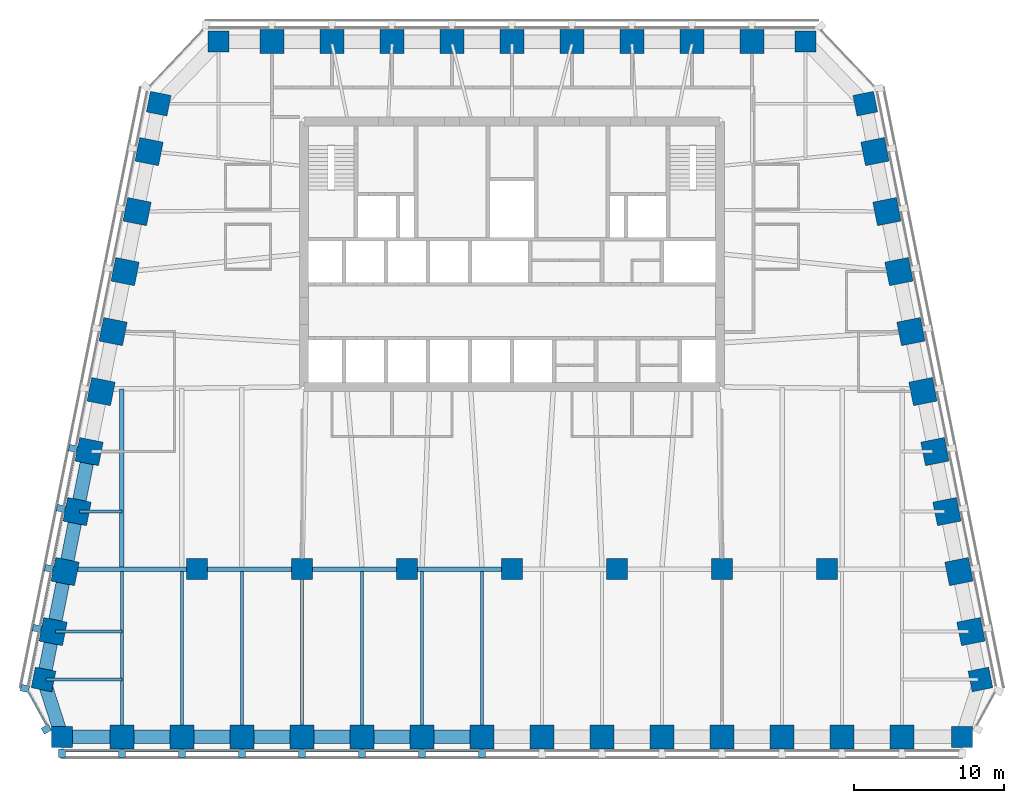
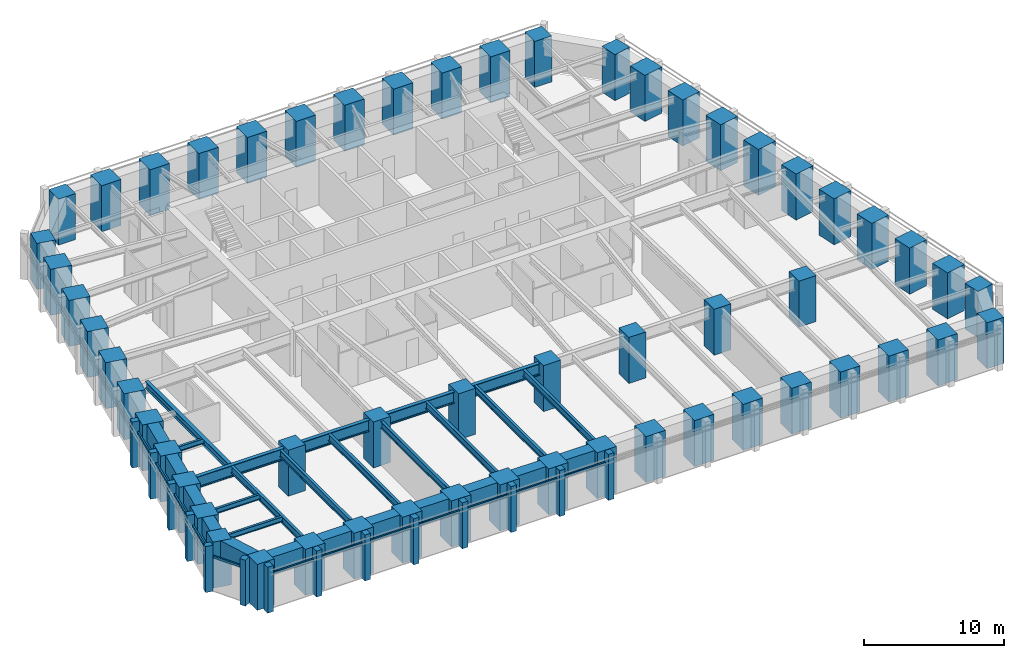
# One storey, part 1 of 10: 56 columns, 27 beams, 26 members, 3 elements without a shape of their own.
"""IFC4 building model written with IfcOpenShell, lengths in metres."""

import ifcopenshell
import ifcopenshell.guid

model = None  # the IFC model being written
_history = None  # IfcOwnerHistory: only IFC2X3 demands one
_inside = {}  # id of a spatial element -> (the spatial element, [elements in it])
_under = {}  # id of a project, library or spatial element -> (it, [spatial elements below it])
_declared = {}  # id of a project -> (the project, [libraries it declares])
_typed = {}  # id of a type object -> (the type object, [elements of that type])
_made_of = {}  # id of a material, layer set ... -> (it, [elements and type objects made of it])


def new_model(schema):
    """Start an empty IFC model of exactly this schema.

    Asked for "IFC4X3", IfcOpenShell would pick the latest addendum, in which some entities
    have other attributes; the version numbers below select the first issue.
    IFC2X3 requires an IfcOwnerHistory on every rooted entity: one is made here for all.
    """
    global model, _history
    if schema == "IFC4X3":
        model = ifcopenshell.file(schema_version=(4, 3, 0, 0))
    else:
        model = ifcopenshell.file(schema=schema)
    _inside.clear()
    _under.clear()
    _declared.clear()
    _typed.clear()
    _made_of.clear()
    _history = None
    if model.schema == "IFC2X3":
        org = make("IfcOrganization", Name="unknown")
        user = make(
            "IfcPersonAndOrganization",
            ThePerson=make("IfcPerson", FamilyName="unknown"),
            TheOrganization=org,
        )
        app = make(
            "IfcApplication",
            ApplicationDeveloper=org,
            Version="unknown",
            ApplicationFullName="unknown",
            ApplicationIdentifier="unknown",
        )
        _history = make(
            "IfcOwnerHistory",
            OwningUser=user,
            OwningApplication=app,
            ChangeAction="ADDED",
            CreationDate=0,
        )
    return model


def make(cls, **values):
    """One entity of the class cls with the attributes given. An attribute that is None is left unset."""
    return model.create_entity(
        cls, **{name: value for name, value in values.items() if value is not None}
    )


def rooted(cls, **values):
    """An entity with a GlobalId (a new one), such as an element, a storey or a relation."""
    return make(cls, GlobalId=ifcopenshell.guid.new(), OwnerHistory=_history, **values)


def si_unit(unit_type, name, prefix=None):
    """IfcSIUnit, for example si_unit("LENGTHUNIT", "METRE", prefix="MILLI")."""
    return make("IfcSIUnit", UnitType=unit_type, Prefix=prefix, Name=name)


def assignment(units):
    """IfcUnitAssignment: the units of a project."""
    return None if units is None else make("IfcUnitAssignment", Units=units)


def point(xyz):
    """IfcCartesianPoint."""
    return None if xyz is None else make("IfcCartesianPoint", Coordinates=xyz)


def direction(xyz):
    """IfcDirection."""
    return None if xyz is None else make("IfcDirection", DirectionRatios=xyz)


def frame(location, z_axis=None, x_axis=None):
    """IfcAxis2Placement3D, a coordinate frame: its origin and axes. An axis left out is left unset."""
    return make(
        "IfcAxis2Placement3D",
        Location=point(location),
        Axis=direction(z_axis),
        RefDirection=direction(x_axis),
    )


def frame_2d(location, x_axis=None):
    """IfcAxis2Placement2D, a coordinate frame in the plane: its origin and x axis."""
    return make(
        "IfcAxis2Placement2D", Location=point(location), RefDirection=direction(x_axis)
    )


def origin():
    """The frame at (0, 0, 0) with its axes left unset."""
    return frame((0.0, 0.0, 0.0))


def origin_2d():
    """The frame at (0, 0) in the plane with its x axis left unset."""
    return frame_2d((0.0, 0.0))


def place(relative_to, where):
    """IfcLocalPlacement: puts the frame where relative to a parent placement (None: the world)."""
    return make(
        "IfcLocalPlacement", PlacementRelTo=relative_to, RelativePlacement=where
    )


def context(
    kind, dimensions, precision=None, world=None, true_north=None, identifier=None
):
    """IfcGeometricRepresentationContext, for example the 3D "Model" context."""
    return make(
        "IfcGeometricRepresentationContext",
        ContextIdentifier=identifier,
        ContextType=kind,
        CoordinateSpaceDimension=dimensions,
        Precision=precision,
        WorldCoordinateSystem=world,
        TrueNorth=true_north,
    )


def subcontext(parent, identifier, kind, view, scale=None):
    """IfcGeometricRepresentationSubContext, for example "Body" below "Model"."""
    return make(
        "IfcGeometricRepresentationSubContext",
        ContextIdentifier=identifier,
        ContextType=kind,
        ParentContext=parent,
        TargetScale=scale,
        TargetView=view,
    )


def project(units=None, contexts=None):
    """IfcProject with its units and contexts."""
    return rooted(
        "IfcProject",
        Name="project",
        RepresentationContexts=contexts,
        UnitsInContext=assignment(units),
    )


def spatial(cls, under=None, at=None, **own):
    """A site, building, storey or space (cls), placed at a placement, below another one or the project."""
    s = rooted(cls, ObjectPlacement=at, **own)
    if under is not None:
        _under.setdefault(under.id(), (under, []))[1].append(s)
    return s


def profile(cls, at=None, kind="AREA", **sizes):
    """A parametric profile (cls). Its sizes go by their IFC names, for example OverallWidth=200.0."""
    return make(cls, ProfileType=kind, Position=at, **sizes)


def rectangle(**sizes):
    """IfcRectangleProfileDef."""
    return profile("IfcRectangleProfileDef", **sizes)


def i_section(**sizes):
    """IfcIShapeProfileDef."""
    return profile("IfcIShapeProfileDef", **sizes)


def extrude(swept, where, along, depth):
    """IfcExtrudedAreaSolid: the profile swept, set in the frame where, extruded along a direction by depth."""
    return make(
        "IfcExtrudedAreaSolid",
        SweptArea=swept,
        Position=where,
        ExtrudedDirection=direction(along),
        Depth=depth,
    )


def shape(context_of_items, identifier, shape_type, items):
    """IfcShapeRepresentation: the items that make up one representation, for example the "Body"."""
    return make(
        "IfcShapeRepresentation",
        ContextOfItems=context_of_items,
        RepresentationIdentifier=identifier,
        RepresentationType=shape_type,
        Items=items,
    )


def material(Name=None, Category=None):
    """IfcMaterial."""
    return make("IfcMaterial", Name=Name, Category=Category)


def material_profile(
    of_material, cross_section, Name=None, Category=None, Priority=None
):
    """IfcMaterialProfile: a cross section and its material."""
    return make(
        "IfcMaterialProfile",
        Name=Name,
        Material=of_material,
        Profile=cross_section,
        Priority=Priority,
        Category=Category,
    )


def profile_set(profiles, Name=None, composite=None):
    """IfcMaterialProfileSet."""
    return make(
        "IfcMaterialProfileSet",
        Name=Name,
        MaterialProfiles=profiles,
        CompositeProfile=composite,
    )


def made_of(thing, what):
    """Note that an element or type object is made of a material, layer set ...; save() writes the relation."""
    if what is not None:
        _made_of.setdefault(what.id(), (what, []))[1].append(thing)
    return thing


def type_object(cls, material=None, **own):
    """A type object (cls), such as IfcWallType, which elements share."""
    return made_of(rooted(cls, **own), material)


def element(
    cls,
    number,
    at=None,
    inside=None,
    cuts=None,
    type_object=None,
    material=None,
    context=None,
    identifier="Body",
    shape_type=None,
    held_by="IfcProductDefinitionShape",
    body=None,
    shapes=None,
    **own,
):
    """One element of the class cls, such as IfcWall. Its Tag is "e" and its number.

    at: its placement. inside: the storey or other place that contains it. cuts: it is an
    opening in that element (IfcRelVoidsElement). A single representation is given by context,
    identifier, shape_type and body (its items); several are given by shapes. held_by: the class
    of the entity that holds the representations. save() writes the other relations.
    """
    e = rooted(cls, Tag="e%d" % number, ObjectPlacement=at, **own)
    if body is not None:
        shapes = [shape(context, identifier, shape_type, body)]
    if shapes is not None:
        e.Representation = make(held_by, Representations=shapes)
    if inside is not None:
        _inside.setdefault(inside.id(), (inside, []))[1].append(e)
    if cuts is not None:
        rooted(
            "IfcRelVoidsElement", RelatingBuildingElement=cuts, RelatedOpeningElement=e
        )
    if type_object is not None:
        _typed.setdefault(type_object.id(), (type_object, []))[1].append(e)
    return made_of(e, material)


def aggregate(whole, parts):
    """IfcRelAggregates: a whole, such as a stair, and the parts it consists of."""
    return rooted("IfcRelAggregates", RelatingObject=whole, RelatedObjects=parts)


def save(model, path):
    """Write the relations noted so far, then the file.

    IfcRelAggregates (storeys below a building ...), IfcRelContainedInSpatialStructure (elements
    in a storey), IfcRelDefinesByType, IfcRelAssociatesMaterial and IfcRelDeclares: one each for
    every whole, place, type object, material and project.
    """
    for whole, parts in _under.values():
        aggregate(whole, parts)
    for where, things in _inside.values():
        rooted(
            "IfcRelContainedInSpatialStructure",
            RelatedElements=things,
            RelatingStructure=where,
        )
    for kind, things in _typed.values():
        rooted("IfcRelDefinesByType", RelatedObjects=things, RelatingType=kind)
    for what, things in _made_of.values():
        rooted("IfcRelAssociatesMaterial", RelatedObjects=things, RelatingMaterial=what)
    for by, libraries in _declared.values():
        rooted("IfcRelDeclares", RelatingContext=by, RelatedDefinitions=libraries)
    model.write(path)


model = new_model("IFC4")

# Units and contexts
model_context = context("Model", 3, precision=1e-05, world=origin(), true_north=direction((0.0, 1.0)))
body_context = subcontext(model_context, "Body", "Model", "MODEL_VIEW")
ifc_project = project(units=[si_unit("LENGTHUNIT", "METRE"), si_unit("AREAUNIT", "SQUARE_METRE"), si_unit("VOLUMEUNIT", "CUBIC_METRE"), si_unit("PLANEANGLEUNIT", "RADIAN"), si_unit("MASSUNIT", "GRAM", prefix="KILO")], contexts=[model_context])

# Site, building, storey
site_placement = place(None, origin())
site = spatial("IfcSite", under=ifc_project, at=site_placement, CompositionType="ELEMENT")
building_placement = place(site_placement, origin())
building = spatial("IfcBuilding", under=site, at=building_placement, Name="Isbrekke Arena Tower", CompositionType="ELEMENT")
storey_placement = place(building_placement, frame((0.0, 0.0, 222.0)))
storey = spatial("IfcBuildingStorey", under=building, at=storey_placement, Name="L51", CompositionType="ELEMENT", Elevation=222.0)

# Columns
ifc_material_1 = material(Name="Concrete B65 (C65/80)", Category="concrete")
ifc_material_profile_1 = material_profile(ifc_material_1, rectangle(XDim=1.39990234375, YDim=1.39990234375, at=origin_2d()), Name="RC 1400x1400")
ifc_profile_set_1 = profile_set([ifc_material_profile_1], Name="Concrete B65 (C65/80)")
column_type_1 = type_object("IfcColumnType", Name="C13 RC 1400 x 1400", PredefinedType="COLUMN", material=ifc_profile_set_1)
for number, where, z_axis, x_axis, name in (
    (1, (-21.0, -6.0, 0.0), (0.0, 0.0, 1.0), (1.0, 0.0, 0.0), "C13 I01"),
    (2, (-14.0, -6.0, 0.0), (0.0, 0.0, 1.0), (1.0, 0.0, 0.0), "C13 I02"),
    (3, (-7.0, -6.0, 0.0), (0.0, 0.0, 1.0), (1.0, 0.0, 0.0), "C13 I03"),
    (4, (0.0, -6.0, 0.0), (0.0, 0.0, 1.0), (1.0, 0.0, 0.0), "C13 I04"),
    (5, (7.0, -6.0, 0.0), (0.0, 0.0, 1.0), (1.0, 0.0, 0.0), "C13 I05"),
    (6, (14.0, -6.0, 0.0), (0.0, 0.0, 1.0), (1.0, 0.0, 0.0), "C13 I06"),
    (7, (21.0, -6.0, 0.0), (0.0, 0.0, 1.0), (1.0, 0.0, 0.0), "C13 I07"),
):
    element("IfcColumn", number, at=place(storey_placement, frame(where, z_axis=z_axis, x_axis=x_axis)), inside=storey, type_object=column_type_1, Name=name, PredefinedType="COLUMN", context=body_context, shape_type="SweptSolid", body=[
        extrude(rectangle(XDim=1.39990234375, YDim=1.39990234375, at=origin_2d()), origin(), (0.0, 0.0, 1.0), 4.0),
    ])
ifc_material_2 = material(Name="Concrete B65 (C65/80)", Category="concrete")
ifc_material_profile_2 = material_profile(ifc_material_2, rectangle(XDim=1.60009765625, YDim=1.60009765625, at=origin_2d()), Name="RC 1600x1600")
ifc_profile_set_2 = profile_set([ifc_material_profile_2], Name="Concrete B65 (C65/80)")
column_type_2 = type_object("IfcColumnType", Name="C4 RC 1600 x 1600", PredefinedType="COLUMN", material=ifc_profile_set_2)
for number, where, z_axis, x_axis, name in (
    (8, (-26.0, -17.175048828125, 0.0), (0.0, 0.0, 1.0), (1.0, 0.0, 0.0), "C4 S02"),
    (9, (-22.0, -17.175048828125, 0.0), (0.0, 0.0, 1.0), (1.0, 0.0, 0.0), "C4 S03"),
    (10, (-18.0, -17.175048828125, 0.0), (0.0, 0.0, 1.0), (1.0, 0.0, 0.0), "C4 S04"),
    (11, (-14.0, -17.175048828125, 0.0), (0.0, 0.0, 1.0), (1.0, 0.0, 0.0), "C4 S05"),
    (12, (-10.0, -17.175048828125, 0.0), (0.0, 0.0, 1.0), (1.0, 0.0, 0.0), "C4 S06"),
    (13, (-6.0, -17.175048828125, 0.0), (0.0, 0.0, 1.0), (1.0, 0.0, 0.0), "C4 S07"),
    (14, (-2.0, -17.175048828125, 0.0), (0.0, 0.0, 1.0), (1.0, 0.0, 0.0), "C4 S08"),
    (15, (2.0, -17.175048828125, 0.0), (0.0, 0.0, 1.0), (1.0, 0.0, 0.0), "C4 S09"),
    (16, (6.0, -17.175048828125, 0.0), (0.0, 0.0, 1.0), (1.0, 0.0, 0.0), "C4 S10"),
    (17, (10.0, -17.175048828125, 0.0), (0.0, 0.0, 1.0), (1.0, 0.0, 0.0), "C4 S11"),
    (18, (14.0, -17.175048828125, 0.0), (0.0, 0.0, 1.0), (1.0, 0.0, 0.0), "C4 S12"),
    (19, (18.0, -17.175048828125, 0.0), (0.0, 0.0, 1.0), (1.0, 0.0, 0.0), "C4 S13"),
    (20, (22.0, -17.175048828125, 0.0), (0.0, 0.0, 1.0), (1.0, 0.0, 0.0), "C4 S14"),
    (21, (26.0, -17.175048828125, 0.0), (0.0, 0.0, 1.0), (1.0, 0.0, 0.0), "C4 S15"),
    (22, (30.591064453125, -10.161865234375, 0.0), (0.0, 0.0, 1.0), (-0.196116135138, 0.980580675691, 0.0), "C4 E02"),
    (23, (29.791015625, -6.161865234375, 0.0), (0.0, 0.0, 1.0), (-0.196116135138, 0.980580675691, 0.0), "C4 E03"),
    (24, (28.990966796875, -2.161865234375, 0.0), (0.0, 0.0, 1.0), (-0.196116135138, 0.980580675691, 0.0), "C4 E04"),
    (25, (28.19091796875, 1.838134765625, 0.0), (0.0, 0.0, 1.0), (-0.196116135138, 0.980580675691, 0.0), "C4 E05"),
    (26, (27.39111328125, 5.838134765625, 0.0), (0.0, 0.0, 1.0), (-0.196116135138, 0.980580675691, 0.0), "C4 E06"),
    (27, (26.591064453125, 9.838134765625, 0.0), (0.0, 0.0, 1.0), (-0.196116135138, 0.980580675691, 0.0), "C4 E07"),
    (28, (25.791015625, 13.838134765625, 0.0), (0.0, 0.0, 1.0), (-0.196116135138, 0.980580675691, 0.0), "C4 E08"),
    (29, (24.990966796875, 17.838134765625, 0.0), (0.0, 0.0, 1.0), (-0.196116135138, 0.980580675691, 0.0), "C4 E09"),
    (30, (24.19091796875, 21.838134765625, 0.0), (0.0, 0.0, 1.0), (-0.196116135138, 0.980580675691, 0.0), "C4 E10"),
    (31, (16.0, 29.175048828125, 0.0), (0.0, 0.0, 1.0), (-1.0, 0.0, 0.0), "C4 N02"),
    (32, (12.0, 29.175048828125, 0.0), (0.0, 0.0, 1.0), (-1.0, 0.0, 0.0), "C4 N03"),
    (33, (8.0, 29.175048828125, 0.0), (0.0, 0.0, 1.0), (-1.0, 0.0, 0.0), "C4 N04"),
    (34, (4.0, 29.175048828125, 0.0), (0.0, 0.0, 1.0), (-1.0, 0.0, 0.0), "C4 N05"),
    (35, (0.0, 29.175048828125, 0.0), (0.0, 0.0, 1.0), (-1.0, 0.0, 0.0), "C4 N06"),
    (36, (-4.0, 29.175048828125, 0.0), (0.0, 0.0, 1.0), (-1.0, 0.0, 0.0), "C4 N07"),
    (37, (-8.0, 29.175048828125, 0.0), (0.0, 0.0, 1.0), (-1.0, 0.0, 0.0), "C4 N08"),
    (38, (-12.0, 29.175048828125, 0.0), (0.0, 0.0, 1.0), (-1.0, 0.0, 0.0), "C4 N09"),
    (39, (-16.0, 29.175048828125, 0.0), (0.0, 0.0, 1.0), (-1.0, 0.0, 0.0), "C4 N10"),
    (40, (-24.19091796875, 21.838134765625, 0.0), (0.0, 0.0, 1.0), (-0.196116135138, -0.980580675691, 0.0), "C4 W02"),
    (41, (-24.990966796875, 17.838134765625, 0.0), (0.0, 0.0, 1.0), (-0.196116135138, -0.980580675691, 0.0), "C4 W03"),
    (42, (-25.791015625, 13.838134765625, 0.0), (0.0, 0.0, 1.0), (-0.196116135138, -0.980580675691, 0.0), "C4 W04"),
    (43, (-26.591064453125, 9.838134765625, 0.0), (0.0, 0.0, 1.0), (-0.196116135138, -0.980580675691, 0.0), "C4 W05"),
    (44, (-27.39111328125, 5.838134765625, 0.0), (0.0, 0.0, 1.0), (-0.196116135138, -0.980580675691, 0.0), "C4 W06"),
    (45, (-28.19091796875, 1.838134765625, 0.0), (0.0, 0.0, 1.0), (-0.196116135138, -0.980580675691, 0.0), "C4 W07"),
    (46, (-28.990966796875, -2.161865234375, 0.0), (0.0, 0.0, 1.0), (-0.196116135138, -0.980580675691, 0.0), "C4 W08"),
    (47, (-29.791015625, -6.161865234375, 0.0), (0.0, 0.0, 1.0), (-0.196116135138, -0.980580675691, 0.0), "C4 W09"),
    (48, (-30.591064453125, -10.161865234375, 0.0), (0.0, 0.0, 1.0), (-0.196116135138, -0.980580675691, 0.0), "C4 W10"),
):
    element("IfcColumn", number, at=place(storey_placement, frame(where, z_axis=z_axis, x_axis=x_axis)), inside=storey, type_object=column_type_2, Name=name, PredefinedType="COLUMN", context=body_context, shape_type="SweptSolid", body=[
        extrude(rectangle(XDim=1.60009765625, YDim=1.60009765625, at=origin_2d()), origin(), (0.0, 0.0, 1.0), 4.0),
    ])
ifc_material_3 = material(Name="Concrete B65 (C65/80)", Category="concrete")
ifc_material_profile_3 = material_profile(ifc_material_3, rectangle(XDim=1.39990234375, YDim=1.39990234375, at=origin_2d()), Name="RC 1400x1400")
ifc_profile_set_3 = profile_set([ifc_material_profile_3], Name="Concrete B65 (C65/80)")
column_type_3 = type_object("IfcColumnType", Name="C8 RC 1400 x 1400", PredefinedType="COLUMN", material=ifc_profile_set_3)
for number, where, z_axis, x_axis, name in (
    (49, (-30.0, -17.175048828125, 0.0), (0.0, 0.0, 1.0), (1.0, 0.0, 0.0), "C8 S01"),
    (50, (30.0, -17.175048828125, 0.0), (0.0, 0.0, 1.0), (1.0, 0.0, 0.0), "C8 S16"),
    (51, (31.229248046875, -13.352783203125, 0.0), (0.0, 0.0, 1.0), (-0.196116135138, 0.980580675691, 0.0), "C8 E01"),
    (52, (23.552734375, 25.029296875, 0.0), (0.0, 0.0, 1.0), (-0.196116135138, 0.980580675691, 0.0), "C8 E11"),
    (53, (19.574951171875, 29.175048828125, 0.0), (0.0, 0.0, 1.0), (-1.0, 0.0, 0.0), "C8 N01"),
    (54, (-19.574951171875, 29.175048828125, 0.0), (0.0, 0.0, 1.0), (-1.0, 0.0, 0.0), "C8 N11"),
    (55, (-23.552734375, 25.029296875, 0.0), (0.0, 0.0, 1.0), (-0.196116135138, -0.980580675691, 0.0), "C8 W01"),
    (56, (-31.229248046875, -13.352783203125, 0.0), (0.0, 0.0, 1.0), (-0.196116135138, -0.980580675691, 0.0), "C8 W11"),
):
    element("IfcColumn", number, at=place(storey_placement, frame(where, z_axis=z_axis, x_axis=x_axis)), inside=storey, type_object=column_type_3, Name=name, PredefinedType="COLUMN", context=body_context, shape_type="SweptSolid", body=[
        extrude(rectangle(XDim=1.39990234375, YDim=1.39990234375, at=origin_2d()), origin(), (0.0, 0.0, 1.0), 4.0),
    ])

# Beams
ifc_material_4 = material(Name="Steel S355", Category="steel")
ifc_material_profile_4 = material_profile(ifc_material_4, i_section(OverallWidth=0.219970703125, OverallDepth=0.60009765625, WebThickness=0.011962890625, FlangeThickness=0.01904296875, FilletRadius=0.02392578125, at=origin_2d()), Name="IPE 600")
ifc_profile_set_4 = profile_set([ifc_material_profile_4], Name="Steel S355")
beam_type_1 = type_object("IfcBeamType", Name="B1 IPE 600", PredefinedType="BEAM", material=ifc_profile_set_4)
for number, where, z_axis, x_axis, name in (
    (57, (-26.0, -17.02490234375, 3.550048828125), (0.0, 1.0, 0.0), (-1.0, 0.0, 0.0), "B1 beam S-S02 L51"),
    (58, (-22.0, -17.02490234375, 3.550048828125), (0.0, 1.0, 0.0), (-1.0, 0.0, 0.0), "B1 beam S-S03 L51"),
    (59, (-18.0, -17.02490234375, 3.550048828125), (0.0, 1.0, 0.0), (-1.0, 0.0, 0.0), "B1 beam S-S04 L51"),
):
    element("IfcBeam", number, at=place(storey_placement, frame(where, z_axis=z_axis, x_axis=x_axis)), inside=storey, type_object=beam_type_1, Name=name, PredefinedType="BEAM", context=body_context, shape_type="SweptSolid", body=[
        extrude(i_section(OverallWidth=0.219970703125, OverallDepth=0.60009765625, WebThickness=0.011962890625, FlangeThickness=0.01904296875, FilletRadius=0.02392578125, at=origin_2d()), origin(), (0.0, 0.0, 1.0), 10.8740234375),
    ])
beam_1_placement = place(storey_placement, frame((-14.0, -17.02490234375, 3.550048828125), z_axis=(0.0, 1.0, 0.0), x_axis=(-1.0, 0.0, 0.0)))
element("IfcBeam", 60, at=beam_1_placement, inside=storey, type_object=beam_type_1, Name="B1 beam S-S05 L51", PredefinedType="BEAM", context=body_context, shape_type="SweptSolid", body=[
    extrude(i_section(OverallWidth=0.219970703125, OverallDepth=0.60009765625, WebThickness=0.011962890625, FlangeThickness=0.01904296875, FilletRadius=0.02392578125, at=origin_2d()), origin(), (0.0, 0.0, 1.0), 10.875),
])
for number, where, z_axis, x_axis, name in (
    (61, (-10.0, -17.02490234375, 3.550048828125), (0.0, 1.0, 0.0), (-1.0, 0.0, 0.0), "B1 beam S-S06 L51"),
    (62, (-6.0, -17.02490234375, 3.550048828125), (0.0, 1.0, 0.0), (-1.0, 0.0, 0.0), "B1 beam S-S07 L51"),
    (63, (-2.0, -17.02490234375, 3.550048828125), (0.0, 1.0, 0.0), (-1.0, 0.0, 0.0), "B1 beam S-S08 L51"),
):
    element("IfcBeam", number, at=place(storey_placement, frame(where, z_axis=z_axis, x_axis=x_axis)), inside=storey, type_object=beam_type_1, Name=name, PredefinedType="BEAM", context=body_context, shape_type="SweptSolid", body=[
        extrude(i_section(OverallWidth=0.219970703125, OverallDepth=0.60009765625, WebThickness=0.011962890625, FlangeThickness=0.01904296875, FilletRadius=0.02392578125, at=origin_2d()), origin(), (0.0, 0.0, 1.0), 10.8740234375),
    ])
ifc_material_5 = material(Name="Steel S355", Category="steel")
ifc_material_profile_5 = material_profile(ifc_material_5, i_section(OverallWidth=0.18994140625, OverallDepth=0.449951171875, WebThickness=0.009521484375, FlangeThickness=0.0146484375, FilletRadius=0.02099609375, at=origin_2d()), Name="IPE 450")
ifc_profile_set_5 = profile_set([ifc_material_profile_5], Name="Steel S355")
beam_type_2 = type_object("IfcBeamType", Name="B2 IPE 450", PredefinedType="BEAM", material=ifc_profile_set_5)
beam_2_placement = place(storey_placement, frame((-28.841064453125, -2.161865234375, 3.625), z_axis=(1.0, 0.0, 0.0), x_axis=(0.0, 1.0, 0.0)))
element("IfcBeam", 64, at=beam_2_placement, inside=storey, type_object=beam_type_2, Name="B2 beam E-W08 L51", PredefinedType="BEAM", context=body_context, shape_type="SweptSolid", body=[
    extrude(i_section(OverallWidth=0.18994140625, OverallDepth=0.449951171875, WebThickness=0.009521484375, FlangeThickness=0.0146484375, FilletRadius=0.02099609375, at=origin_2d()), origin(), (0.0, 0.0, 1.0), 2.841064453125),
])
beam_3_placement = place(storey_placement, frame((-30.44091796875, -10.161865234375, 3.625), z_axis=(1.0, 0.0, 0.0), x_axis=(0.0, 1.0, 0.0)))
element("IfcBeam", 65, at=beam_3_placement, inside=storey, type_object=beam_type_2, Name="B2 beam E-W10 L51", PredefinedType="BEAM", context=body_context, shape_type="SweptSolid", body=[
    extrude(i_section(OverallWidth=0.18994140625, OverallDepth=0.449951171875, WebThickness=0.009521484375, FlangeThickness=0.0146484375, FilletRadius=0.02099609375, at=origin_2d()), origin(), (0.0, 0.0, 1.0), 4.44091796875),
])
beam_4_placement = place(storey_placement, frame((-31.079345703125, -13.352783203125, 3.625), z_axis=(1.0, 0.0, 0.0), x_axis=(0.0, 1.0, 0.0)))
element("IfcBeam", 66, at=beam_4_placement, inside=storey, type_object=beam_type_2, Name="B2 beam E-W11 L51", PredefinedType="BEAM", context=body_context, shape_type="SweptSolid", body=[
    extrude(i_section(OverallWidth=0.18994140625, OverallDepth=0.449951171875, WebThickness=0.009521484375, FlangeThickness=0.0146484375, FilletRadius=0.02099609375, at=origin_2d()), origin(), (0.0, 0.0, 1.0), 5.079345703125),
])
ifc_material_6 = material(Name="Steel S355", Category="steel")
ifc_material_profile_6 = material_profile(ifc_material_6, i_section(OverallWidth=0.300048828125, OverallDepth=0.60009765625, WebThickness=0.015380859375, FlangeThickness=0.030029296875, FilletRadius=0.027099609375, at=origin_2d()), Name="HEB 600")
ifc_profile_set_6 = profile_set([ifc_material_profile_6], Name="Steel S355")
beam_type_3 = type_object("IfcBeamType", Name="B7 HEB 600", PredefinedType="BEAM", material=ifc_profile_set_6)
beam_5_placement = place(storey_placement, frame((-26.0, -5.84912109375, 3.550048828125), z_axis=(0.0, 1.0, 0.0), x_axis=(-1.0, 0.0, 0.0)))
element("IfcBeam", 67, at=beam_5_placement, inside=storey, type_object=beam_type_3, Name="B7 beam C-M01 L51", PredefinedType="BEAM", context=body_context, shape_type="SweptSolid", body=[
    extrude(i_section(OverallWidth=0.300048828125, OverallDepth=0.60009765625, WebThickness=0.015380859375, FlangeThickness=0.030029296875, FilletRadius=0.027099609375, at=origin_2d()), origin(), (0.0, 0.0, 1.0), 11.864990234375),
])

# Curtain wall, members
ifc_material_7 = material(Name="Glazed aluminium curtain wall", Category="aluminium")
curtain_wall_type = type_object("IfcCurtainWallType", Name="CWH TOWER CURTAIN WALL HIGH ZONE", PredefinedType="USERDEFINED", material=ifc_material_7)
curtain_wall_1_placement = place(storey_placement, origin())
curtain_wall_1 = element("IfcCurtainWall", 68, at=curtain_wall_1_placement, inside=storey, type_object=curtain_wall_type, Name="CWH curtain wall L51-S", ObjectType="TOWER CURTAIN WALL HIGH ZONE", PredefinedType="USERDEFINED")
ifc_material_8 = material(Name="Aluminium mullion, pale brick slip cladding", Category="masonry")
ifc_material_profile_7 = material_profile(ifc_material_8, rectangle(XDim=0.449951171875, YDim=0.550048828125, at=origin_2d()), Name="PIER 450X550")
ifc_profile_set_7 = profile_set([ifc_material_profile_7], Name="Aluminium mullion, pale brick slip cladding")
member_type_1 = type_object("IfcMemberType", Name="CWH-M PIER MULLION 450 x 550", PredefinedType="MULLION", material=ifc_profile_set_7)
member_1_placement = place(storey_placement, frame((-30.0, -18.27490234375, 0.0), z_axis=(0.0, 0.0, 1.0), x_axis=(1.0, 0.0, 0.0)))
member_1 = element("IfcMember", 69, at=member_1_placement, type_object=member_type_1, Name="CWH-M mullion 1", PredefinedType="MULLION", context=body_context, shape_type="SweptSolid", body=[
    extrude(rectangle(XDim=0.449951171875, YDim=0.550048828125, at=origin_2d()), origin(), (0.0, 0.0, 1.0), 4.0),
])
member_2_placement = place(storey_placement, frame((-26.0, -18.27490234375, 0.0), z_axis=(0.0, 0.0, 1.0), x_axis=(1.0, 0.0, 0.0)))
member_2 = element("IfcMember", 70, at=member_2_placement, type_object=member_type_1, Name="CWH-M mullion 2", PredefinedType="MULLION", context=body_context, shape_type="SweptSolid", body=[
    extrude(rectangle(XDim=0.449951171875, YDim=0.550048828125, at=origin_2d()), origin(), (0.0, 0.0, 1.0), 4.0),
])
member_3_placement = place(storey_placement, frame((-22.0, -18.27490234375, 0.0), z_axis=(0.0, 0.0, 1.0), x_axis=(1.0, 0.0, 0.0)))
member_3 = element("IfcMember", 71, at=member_3_placement, type_object=member_type_1, Name="CWH-M mullion 3", PredefinedType="MULLION", context=body_context, shape_type="SweptSolid", body=[
    extrude(rectangle(XDim=0.449951171875, YDim=0.550048828125, at=origin_2d()), origin(), (0.0, 0.0, 1.0), 4.0),
])
member_4_placement = place(storey_placement, frame((-18.0, -18.27490234375, 0.0), z_axis=(0.0, 0.0, 1.0), x_axis=(1.0, 0.0, 0.0)))
member_4 = element("IfcMember", 72, at=member_4_placement, type_object=member_type_1, Name="CWH-M mullion 4", PredefinedType="MULLION", context=body_context, shape_type="SweptSolid", body=[
    extrude(rectangle(XDim=0.449951171875, YDim=0.550048828125, at=origin_2d()), origin(), (0.0, 0.0, 1.0), 4.0),
])
member_5_placement = place(storey_placement, frame((-14.0, -18.27490234375, 0.0), z_axis=(0.0, 0.0, 1.0), x_axis=(1.0, 0.0, 0.0)))
member_5 = element("IfcMember", 73, at=member_5_placement, type_object=member_type_1, Name="CWH-M mullion 5", PredefinedType="MULLION", context=body_context, shape_type="SweptSolid", body=[
    extrude(rectangle(XDim=0.449951171875, YDim=0.550048828125, at=origin_2d()), origin(), (0.0, 0.0, 1.0), 4.0),
])
member_6_placement = place(storey_placement, frame((-10.0, -18.27490234375, 0.0), z_axis=(0.0, 0.0, 1.0), x_axis=(1.0, 0.0, 0.0)))
member_6 = element("IfcMember", 74, at=member_6_placement, type_object=member_type_1, Name="CWH-M mullion 6", PredefinedType="MULLION", context=body_context, shape_type="SweptSolid", body=[
    extrude(rectangle(XDim=0.449951171875, YDim=0.550048828125, at=origin_2d()), origin(), (0.0, 0.0, 1.0), 4.0),
])
member_7_placement = place(storey_placement, frame((-6.0, -18.27490234375, 0.0), z_axis=(0.0, 0.0, 1.0), x_axis=(1.0, 0.0, 0.0)))
member_7 = element("IfcMember", 75, at=member_7_placement, type_object=member_type_1, Name="CWH-M mullion 7", PredefinedType="MULLION", context=body_context, shape_type="SweptSolid", body=[
    extrude(rectangle(XDim=0.449951171875, YDim=0.550048828125, at=origin_2d()), origin(), (0.0, 0.0, 1.0), 4.0),
])
member_8_placement = place(storey_placement, frame((-2.0, -18.27490234375, 0.0), z_axis=(0.0, 0.0, 1.0), x_axis=(1.0, 0.0, 0.0)))
member_8 = element("IfcMember", 76, at=member_8_placement, type_object=member_type_1, Name="CWH-M mullion 8", PredefinedType="MULLION", context=body_context, shape_type="SweptSolid", body=[
    extrude(rectangle(XDim=0.449951171875, YDim=0.550048828125, at=origin_2d()), origin(), (0.0, 0.0, 1.0), 4.0),
])

curtain_wall_2_placement = place(storey_placement, origin())
curtain_wall_2 = element("IfcCurtainWall", 77, at=curtain_wall_2_placement, inside=storey, type_object=curtain_wall_type, Name="CWH curtain wall L51-W", ObjectType="TOWER CURTAIN WALL HIGH ZONE", PredefinedType="USERDEFINED")
member_9_placement = place(storey_placement, frame((-29.269775390625, 2.053955078125, 0.0), z_axis=(0.0, 0.0, 1.0), x_axis=(-0.196116135138, -0.980580675691, 0.0)))
member_9 = element("IfcMember", 78, at=member_9_placement, type_object=member_type_1, Name="CWH-M mullion 6", PredefinedType="MULLION", context=body_context, shape_type="SweptSolid", body=[
    extrude(rectangle(XDim=0.449951171875, YDim=0.550048828125, at=origin_2d()), origin(), (0.0, 0.0, 1.0), 4.0),
])
member_10_placement = place(storey_placement, frame((-30.069580078125, -1.946044921875, 0.0), z_axis=(0.0, 0.0, 1.0), x_axis=(-0.196116135138, -0.980580675691, 0.0)))
member_10 = element("IfcMember", 79, at=member_10_placement, type_object=member_type_1, Name="CWH-M mullion 7", PredefinedType="MULLION", context=body_context, shape_type="SweptSolid", body=[
    extrude(rectangle(XDim=0.449951171875, YDim=0.550048828125, at=origin_2d()), origin(), (0.0, 0.0, 1.0), 4.0),
])
member_11_placement = place(storey_placement, frame((-30.86962890625, -5.946044921875, 0.0), z_axis=(0.0, 0.0, 1.0), x_axis=(-0.196116135138, -0.980580675691, 0.0)))
member_11 = element("IfcMember", 80, at=member_11_placement, type_object=member_type_1, Name="CWH-M mullion 8", PredefinedType="MULLION", context=body_context, shape_type="SweptSolid", body=[
    extrude(rectangle(XDim=0.449951171875, YDim=0.550048828125, at=origin_2d()), origin(), (0.0, 0.0, 1.0), 4.0),
])
member_12_placement = place(storey_placement, frame((-31.669677734375, -9.946044921875, 0.0), z_axis=(0.0, 0.0, 1.0), x_axis=(-0.196116135138, -0.980580675691, 0.0)))
member_12 = element("IfcMember", 81, at=member_12_placement, type_object=member_type_1, Name="CWH-M mullion 9", PredefinedType="MULLION", context=body_context, shape_type="SweptSolid", body=[
    extrude(rectangle(XDim=0.449951171875, YDim=0.550048828125, at=origin_2d()), origin(), (0.0, 0.0, 1.0), 4.0),
])
member_13_placement = place(storey_placement, frame((-32.4697265625, -13.946044921875, 0.0), z_axis=(0.0, 0.0, 1.0), x_axis=(-0.196116135138, -0.980580675691, 0.0)))
member_13 = element("IfcMember", 82, at=member_13_placement, type_object=member_type_1, Name="CWH-M mullion 10", PredefinedType="MULLION", context=body_context, shape_type="SweptSolid", body=[
    extrude(rectangle(XDim=0.449951171875, YDim=0.550048828125, at=origin_2d()), origin(), (0.0, 0.0, 1.0), 4.0),
])

# Curtain wall, member
curtain_wall_3_placement = place(storey_placement, origin())
curtain_wall_3 = element("IfcCurtainWall", 83, at=curtain_wall_3_placement, inside=storey, type_object=curtain_wall_type, Name="CWH curtain wall L51-WS", ObjectType="TOWER CURTAIN WALL HIGH ZONE", PredefinedType="USERDEFINED")
member_14_placement = place(storey_placement, frame((-31.04638671875, -16.66796875, 0.0), z_axis=(0.0, 0.0, 1.0), x_axis=(0.481918749773, -0.876215908676, 0.0)))
member_14 = element("IfcMember", 84, at=member_14_placement, type_object=member_type_1, Name="CWH-M mullion 1", PredefinedType="MULLION", context=body_context, shape_type="SweptSolid", body=[
    extrude(rectangle(XDim=0.449951171875, YDim=0.550048828125, at=origin_2d()), origin(), (0.0, 0.0, 1.0), 4.0),
])

# Member
ifc_material_9 = material(Name="Aluminium transom", Category="aluminium")
ifc_material_profile_8 = material_profile(ifc_material_9, rectangle(XDim=0.1201171875, YDim=0.199951171875, at=origin_2d()), Name="TRANSOM 120X200")
ifc_profile_set_8 = profile_set([ifc_material_profile_8], Name="Aluminium transom")
member_type_2 = type_object("IfcMemberType", Name="CWH-T TRANSOM 120 x 200", PredefinedType="USERDEFINED", material=ifc_profile_set_8)
member_15_placement = place(storey_placement, frame((-29.77490234375, -18.10009765625, 3.0), z_axis=(1.0, 0.0, 0.0), x_axis=(0.0, 1.0, 0.0)))
member_15 = element("IfcMember", 85, at=member_15_placement, type_object=member_type_2, Name="CWH-T transom 1", ObjectType="TRANSOM", PredefinedType="USERDEFINED", context=body_context, shape_type="SweptSolid", body=[
    extrude(rectangle(XDim=0.1201171875, YDim=0.199951171875, at=origin_2d()), origin(), (0.0, 0.0, 1.0), 3.5498046875),
])

member_16_placement = place(storey_placement, frame((-25.77490234375, -18.10009765625, 3.0), z_axis=(1.0, 0.0, 0.0), x_axis=(0.0, 1.0, 0.0)))
member_16 = element("IfcMember", 86, at=member_16_placement, type_object=member_type_2, Name="CWH-T transom 2", ObjectType="TRANSOM", PredefinedType="USERDEFINED", context=body_context, shape_type="SweptSolid", body=[
    extrude(rectangle(XDim=0.1201171875, YDim=0.199951171875, at=origin_2d()), origin(), (0.0, 0.0, 1.0), 3.5498046875),
])

member_17_placement = place(storey_placement, frame((-21.77490234375, -18.10009765625, 3.0), z_axis=(1.0, 0.0, 0.0), x_axis=(0.0, 1.0, 0.0)))
member_17 = element("IfcMember", 87, at=member_17_placement, type_object=member_type_2, Name="CWH-T transom 3", ObjectType="TRANSOM", PredefinedType="USERDEFINED", context=body_context, shape_type="SweptSolid", body=[
    extrude(rectangle(XDim=0.1201171875, YDim=0.199951171875, at=origin_2d()), origin(), (0.0, 0.0, 1.0), 3.5498046875),
])

member_18_placement = place(storey_placement, frame((-17.77490234375, -18.10009765625, 3.0), z_axis=(1.0, 0.0, 0.0), x_axis=(0.0, 1.0, 0.0)))
member_18 = element("IfcMember", 88, at=member_18_placement, type_object=member_type_2, Name="CWH-T transom 4", ObjectType="TRANSOM", PredefinedType="USERDEFINED", context=body_context, shape_type="SweptSolid", body=[
    extrude(rectangle(XDim=0.1201171875, YDim=0.199951171875, at=origin_2d()), origin(), (0.0, 0.0, 1.0), 3.5498046875),
])

member_19_placement = place(storey_placement, frame((-13.77490234375, -18.10009765625, 3.0), z_axis=(1.0, 0.0, 0.0), x_axis=(0.0, 1.0, 0.0)))
member_19 = element("IfcMember", 89, at=member_19_placement, type_object=member_type_2, Name="CWH-T transom 5", ObjectType="TRANSOM", PredefinedType="USERDEFINED", context=body_context, shape_type="SweptSolid", body=[
    extrude(rectangle(XDim=0.1201171875, YDim=0.199951171875, at=origin_2d()), origin(), (0.0, 0.0, 1.0), 3.5498046875),
])

member_20_placement = place(storey_placement, frame((-9.77490234375, -18.10009765625, 3.0), z_axis=(1.0, 0.0, 0.0), x_axis=(0.0, 1.0, 0.0)))
member_20 = element("IfcMember", 90, at=member_20_placement, type_object=member_type_2, Name="CWH-T transom 6", ObjectType="TRANSOM", PredefinedType="USERDEFINED", context=body_context, shape_type="SweptSolid", body=[
    extrude(rectangle(XDim=0.1201171875, YDim=0.199951171875, at=origin_2d()), origin(), (0.0, 0.0, 1.0), 3.5498046875),
])

member_21_placement = place(storey_placement, frame((-5.77490234375, -18.10009765625, 3.0), z_axis=(1.0, 0.0, 0.0), x_axis=(0.0, 1.0, 0.0)))
member_21 = element("IfcMember", 91, at=member_21_placement, type_object=member_type_2, Name="CWH-T transom 7", ObjectType="TRANSOM", PredefinedType="USERDEFINED", context=body_context, shape_type="SweptSolid", body=[
    extrude(rectangle(XDim=0.1201171875, YDim=0.199951171875, at=origin_2d()), origin(), (0.0, 0.0, 1.0), 3.5498046875),
])

aggregate(curtain_wall_1, [member_1, member_2, member_3, member_4, member_5, member_6, member_7, member_8, member_15, member_16, member_17, member_18, member_19, member_20, member_21])

member_22_placement = place(storey_placement, frame((-29.14208984375, 1.799072265625, 3.0), z_axis=(-0.196154943734, -0.980572913173, 0.0), x_axis=(0.980572913173, -0.196154943734, 0.0)))
member_22 = element("IfcMember", 92, at=member_22_placement, type_object=member_type_2, Name="CWH-T transom 7", ObjectType="TRANSOM", PredefinedType="USERDEFINED", context=body_context, shape_type="SweptSolid", body=[
    extrude(rectangle(XDim=0.1201171875, YDim=0.199951171875, at=origin_2d()), origin(), (0.0, 0.0, 1.0), 3.62939453125),
])

member_23_placement = place(storey_placement, frame((-29.942138671875, -2.200927734375, 3.0), z_axis=(-0.196154943734, -0.980572913173, 0.0), x_axis=(0.980572913173, -0.196154943734, 0.0)))
member_23 = element("IfcMember", 93, at=member_23_placement, type_object=member_type_2, Name="CWH-T transom 8", ObjectType="TRANSOM", PredefinedType="USERDEFINED", context=body_context, shape_type="SweptSolid", body=[
    extrude(rectangle(XDim=0.1201171875, YDim=0.199951171875, at=origin_2d()), origin(), (0.0, 0.0, 1.0), 3.62939453125),
])

member_24_placement = place(storey_placement, frame((-30.7421875, -6.200927734375, 3.0), z_axis=(-0.196090262229, -0.980585849918, 0.0), x_axis=(0.980585849918, -0.196090262229, 0.0)))
member_24 = element("IfcMember", 94, at=member_24_placement, type_object=member_type_2, Name="CWH-T transom 9", ObjectType="TRANSOM", PredefinedType="USERDEFINED", context=body_context, shape_type="SweptSolid", body=[
    extrude(rectangle(XDim=0.1201171875, YDim=0.199951171875, at=origin_2d()), origin(), (0.0, 0.0, 1.0), 3.62939453125),
])

member_25_placement = place(storey_placement, frame((-31.542236328125, -10.200927734375, 3.0), z_axis=(-0.196090262229, -0.980585849918, 0.0), x_axis=(0.980585849918, -0.196090262229, 0.0)))
member_25 = element("IfcMember", 95, at=member_25_placement, type_object=member_type_2, Name="CWH-T transom 10", ObjectType="TRANSOM", PredefinedType="USERDEFINED", context=body_context, shape_type="SweptSolid", body=[
    extrude(rectangle(XDim=0.1201171875, YDim=0.199951171875, at=origin_2d()), origin(), (0.0, 0.0, 1.0), 3.62939453125),
])

aggregate(curtain_wall_2, [member_9, member_10, member_11, member_12, member_13, member_22, member_23, member_24, member_25])

member_26_placement = place(storey_placement, frame((-32.17919921875, -14.245361328125, 3.0), z_axis=(0.481957101782, -0.876194813978, 0.0), x_axis=(0.876194813978, 0.481957101782, 0.0)))
member_26 = element("IfcMember", 96, at=member_26_placement, type_object=member_type_2, Name="CWH-T transom 1", ObjectType="TRANSOM", PredefinedType="USERDEFINED", context=body_context, shape_type="SweptSolid", body=[
    extrude(rectangle(XDim=0.1201171875, YDim=0.199951171875, at=origin_2d()), origin(), (0.0, 0.0, 1.0), 2.443603515625),
])

aggregate(curtain_wall_3, [member_14, member_26])

# Beams
ifc_material_10 = material(Name="Steel S355", Category="steel")
ifc_material_profile_9 = material_profile(ifc_material_10, i_section(OverallWidth=0.302001953125, OverallDepth=1.008056640625, WebThickness=0.02099609375, FlangeThickness=0.0400390625, FilletRadius=0.030029296875, at=origin_2d()), Name="HEM 1000")
ifc_profile_set_9 = profile_set([ifc_material_profile_9], Name="Steel S355")
beam_type_4 = type_object("IfcBeamType", Name="G1 HEM 1000", PredefinedType="BEAM", material=ifc_profile_set_9)
beam_6_placement = place(storey_placement, frame((-29.791015625, -6.0, 3.345947265625), z_axis=(1.0, 0.0, 0.0), x_axis=(0.0, 1.0, 0.0)))
element("IfcBeam", 97, at=beam_6_placement, inside=storey, type_object=beam_type_4, Name="G1 beam G1-01 L51", PredefinedType="BEAM", context=body_context, shape_type="SweptSolid", body=[
    extrude(i_section(OverallWidth=0.302001953125, OverallDepth=1.008056640625, WebThickness=0.02099609375, FlangeThickness=0.0400390625, FilletRadius=0.030029296875, at=origin_2d()), origin(), (0.0, 0.0, 1.0), 8.64111328125),
])
for number, where, z_axis, x_axis, name in (
    (98, (-20.85009765625, -6.0, 3.345947265625), (1.0, 0.0, 0.0), (0.0, 1.0, 0.0), "G1 beam G1-02 L51"),
    (99, (-13.85009765625, -6.0, 3.345947265625), (1.0, 0.0, 0.0), (0.0, 1.0, 0.0), "G1 beam G1-03 L51"),
    (100, (-6.85009765625, -6.0, 3.345947265625), (1.0, 0.0, 0.0), (0.0, 1.0, 0.0), "G1 beam G1-04 L51"),
):
    element("IfcBeam", number, at=place(storey_placement, frame(where, z_axis=z_axis, x_axis=x_axis)), inside=storey, type_object=beam_type_4, Name=name, PredefinedType="BEAM", context=body_context, shape_type="SweptSolid", body=[
        extrude(i_section(OverallWidth=0.302001953125, OverallDepth=1.008056640625, WebThickness=0.02099609375, FlangeThickness=0.0400390625, FilletRadius=0.030029296875, at=origin_2d()), origin(), (0.0, 0.0, 1.0), 6.7001953125),
    ])
ifc_material_11 = material(Name="Concrete B65 (C65/80)", Category="concrete")
ifc_material_profile_10 = material_profile(ifc_material_11, rectangle(XDim=0.89990234375, YDim=1.5, at=origin_2d()), Name="RC 900x1500")
ifc_profile_set_10 = profile_set([ifc_material_profile_10], Name="Concrete B65 (C65/80)")
beam_type_5 = type_object("IfcBeamType", Name="SB3 RC 900 x 1500", PredefinedType="SPANDREL", material=ifc_profile_set_10)
for number, where, z_axis, x_axis, name in (
    (101, (-29.85009765625, -17.175048828125, 3.25), (1.0, 0.0, 0.0), (0.0, 1.0, 0.0), "SB3 spandrel S01-S02 L51"),
    (102, (-25.85009765625, -17.175048828125, 3.25), (1.0, 0.0, 0.0), (0.0, 1.0, 0.0), "SB3 spandrel S02-S03 L51"),
    (103, (-21.85009765625, -17.175048828125, 3.25), (1.0, 0.0, 0.0), (0.0, 1.0, 0.0), "SB3 spandrel S03-S04 L51"),
    (104, (-17.85009765625, -17.175048828125, 3.25), (1.0, 0.0, 0.0), (0.0, 1.0, 0.0), "SB3 spandrel S04-S05 L51"),
    (105, (-13.85009765625, -17.175048828125, 3.25), (1.0, 0.0, 0.0), (0.0, 1.0, 0.0), "SB3 spandrel S05-S06 L51"),
    (106, (-9.85009765625, -17.175048828125, 3.25), (1.0, 0.0, 0.0), (0.0, 1.0, 0.0), "SB3 spandrel S06-S07 L51"),
    (107, (-5.85009765625, -17.175048828125, 3.25), (1.0, 0.0, 0.0), (0.0, 1.0, 0.0), "SB3 spandrel S07-S08 L51"),
):
    element("IfcBeam", number, at=place(storey_placement, frame(where, z_axis=z_axis, x_axis=x_axis)), inside=storey, type_object=beam_type_5, Name=name, PredefinedType="SPANDREL", context=body_context, shape_type="SweptSolid", body=[
        extrude(rectangle(XDim=0.89990234375, YDim=1.5, at=origin_2d()), origin(), (0.0, 0.0, 1.0), 3.7001953125),
    ])
for number, where, z_axis, x_axis, name in (
    (108, (-28.220458984375, 1.691162109375, 3.25), (-0.196128558387, -0.980578190959, 0.0), (0.980578190959, -0.196128558387, 0.0), "SB3 spandrel W07-W08 L51"),
    (109, (-29.0205078125, -2.308837890625, 3.25), (-0.196128558387, -0.980578190959, 0.0), (0.980578190959, -0.196128558387, 0.0), "SB3 spandrel W08-W09 L51"),
):
    element("IfcBeam", number, at=place(storey_placement, frame(where, z_axis=z_axis, x_axis=x_axis)), inside=storey, type_object=beam_type_5, Name=name, PredefinedType="SPANDREL", context=body_context, shape_type="SweptSolid", body=[
        extrude(rectangle(XDim=0.89990234375, YDim=1.5, at=origin_2d()), origin(), (0.0, 0.0, 1.0), 3.779296875),
    ])
beam_7_placement = place(storey_placement, frame((-29.820556640625, -6.308837890625, 3.25), z_axis=(-0.1960664412, -0.980590613169, 0.0), x_axis=(0.980590613169, -0.1960664412, 0.0)))
element("IfcBeam", 110, at=beam_7_placement, inside=storey, type_object=beam_type_5, Name="SB3 spandrel W09-W10 L51", PredefinedType="SPANDREL", context=body_context, shape_type="SweptSolid", body=[
    extrude(rectangle(XDim=0.89990234375, YDim=1.5, at=origin_2d()), origin(), (0.0, 0.0, 1.0), 3.779052734375),
])
beam_8_placement = place(storey_placement, frame((-30.620361328125, -10.308837890625, 3.25), z_axis=(-0.196100243168, -0.980583853951, 0.0), x_axis=(0.980583853951, -0.196100243168, 0.0)))
element("IfcBeam", 111, at=beam_8_placement, inside=storey, type_object=beam_type_5, Name="SB3 spandrel W10-W11 L51", PredefinedType="SPANDREL", context=body_context, shape_type="SweptSolid", body=[
    extrude(rectangle(XDim=0.89990234375, YDim=1.5, at=origin_2d()), origin(), (0.0, 0.0, 1.0), 2.954345703125),
])
beam_9_placement = place(storey_placement, frame((-31.183349609375, -13.49560546875, 3.25), z_axis=(0.306175101476, -0.951975213562, 0.0), x_axis=(0.951975213562, 0.306175101476, 0.0)))
element("IfcBeam", 112, at=beam_9_placement, inside=storey, type_object=beam_type_5, Name="SB3 spandrel W11-S01 L51", PredefinedType="SPANDREL", context=body_context, shape_type="SweptSolid", body=[
    extrude(rectangle(XDim=0.89990234375, YDim=1.5, at=origin_2d()), origin(), (0.0, 0.0, 1.0), 3.715087890625),
])

save(model, "model.ifc")
